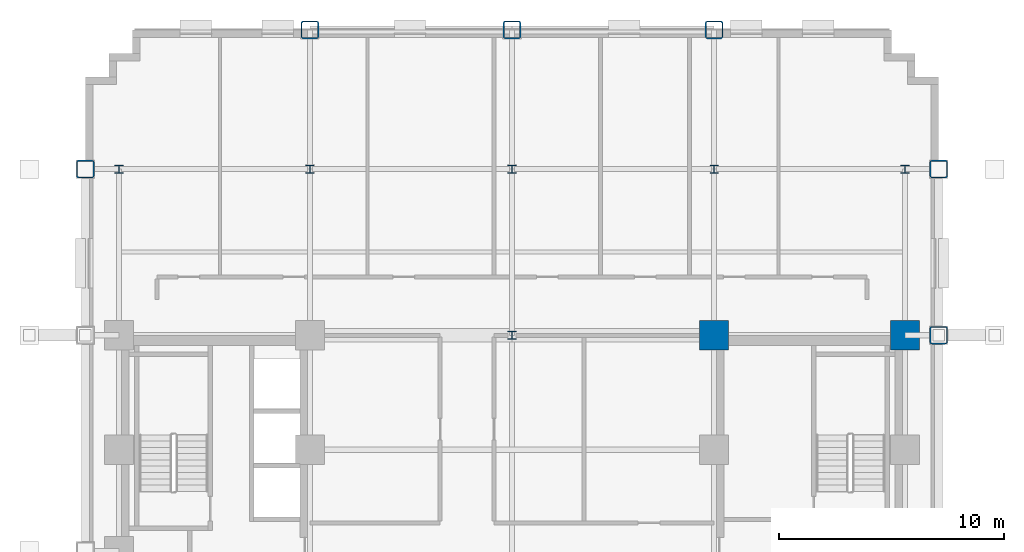
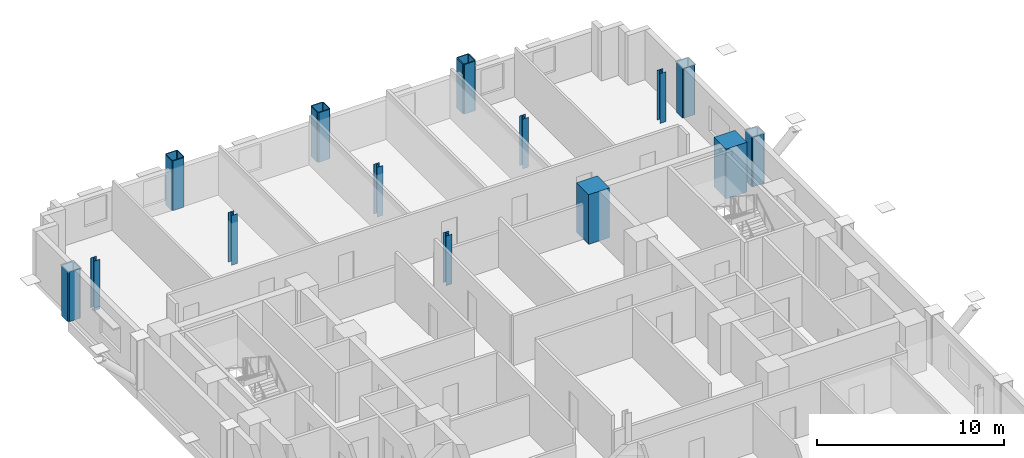
# One storey, part 2 of 12: 14 columns.
"""IFC4 building model written with IfcOpenShell, lengths in metres."""

from ifc_helpers import new_model, si_unit, direction, frame, origin, origin_2d, place, context, subcontext, project, spatial, rectangle, hollow_rectangle, i_section, extrude, material, material_profile, profile_set, type_object, element, save


model = new_model("IFC4")

# Units and contexts
model_context = context("Model", 3, precision=1e-05, world=origin(), true_north=direction((0.0, 1.0)))
body_context = subcontext(model_context, "Body", "Model", "MODEL_VIEW")
ifc_project = project(units=[si_unit("LENGTHUNIT", "METRE"), si_unit("AREAUNIT", "SQUARE_METRE"), si_unit("VOLUMEUNIT", "CUBIC_METRE"), si_unit("PLANEANGLEUNIT", "RADIAN"), si_unit("MASSUNIT", "GRAM", prefix="KILO")], contexts=[model_context])

# Site, building, storey
site_placement = place(None, origin())
site = spatial("IfcSite", under=ifc_project, at=site_placement, CompositionType="ELEMENT")
building_placement = place(site_placement, origin())
building = spatial("IfcBuilding", under=site, at=building_placement, Name="Nuvemarco Arch Tower", CompositionType="ELEMENT")
storey_placement = place(building_placement, frame((0.0, 0.0, 53.14990234375)))
storey = spatial("IfcBuildingStorey", under=building, at=storey_placement, Name="L13", CompositionType="ELEMENT", Elevation=53.14990234375)

# Columns
ifc_material_1 = material(Name="Concrete C60/75", Category="concrete")
ifc_material_profile_1 = material_profile(ifc_material_1, rectangle(XDim=1.300048828125, YDim=1.300048828125, at=origin_2d()), Name="RC-COL-1300x1300")
ifc_profile_set_1 = profile_set([ifc_material_profile_1], Name="Concrete C60/75")
column_type_1 = type_object("IfcColumnType", Name="COL-CORE-1300", PredefinedType="COLUMN", material=ifc_profile_set_1)
for number, where, z_axis, x_axis, name in (
    (1, (9.0, 9.60009765625, 0.0), (0.0, 0.0, 1.0), (1.0, 0.0, 0.0), "L13 column CC_+9.0_+9.6"),
    (2, (17.5, 9.60009765625, 0.0), (0.0, 0.0, 1.0), (1.0, 0.0, 0.0), "L13 column CC_+17.5_+9.6"),
):
    element("IfcColumn", number, at=place(storey_placement, frame(where, z_axis=z_axis, x_axis=x_axis)), inside=storey, type_object=column_type_1, Name=name, PredefinedType="COLUMN", context=body_context, shape_type="SweptSolid", body=[
        extrude(rectangle(XDim=1.300048828125, YDim=1.300048828125, at=origin_2d()), origin(), (0.0, 0.0, 1.0), 3.25),
    ])
ifc_material_2 = material(Name="Steel S460", Category="steel")
ifc_material_profile_2 = material_profile(ifc_material_2, hollow_rectangle(XDim=0.800048828125, YDim=0.800048828125, WallThickness=0.054931640625, InnerFilletRadius=0.054931640625, OuterFilletRadius=0.110107421875, at=origin_2d()), Name="SHS800x800x55")
ifc_profile_set_2 = profile_set([ifc_material_profile_2], Name="Steel S460")
column_type_2 = type_object("IfcColumnType", Name="COL-EXO-800", PredefinedType="COLUMN", material=ifc_profile_set_2)
for number, where, z_axis, x_axis, name in (
    (3, (-19.0, 17.0, 0.0), (0.0, 0.0, 1.0), (1.0, 0.0, 0.0), "L13 column CX_-19.0_+17.0"),
    (4, (19.0, 9.60009765625, 0.0), (0.0, 0.0, 1.0), (1.0, 0.0, 0.0), "L13 column CX_+19.0_+9.6"),
    (5, (19.0, 17.0, 0.0), (0.0, 0.0, 1.0), (1.0, 0.0, 0.0), "L13 column CX_+19.0_+17.0"),
    (6, (-9.0, 23.199951171875, 0.0), (0.0, 0.0, 1.0), (1.0, 0.0, 0.0), "L13 column CY_-9.0_+23.2"),
    (7, (0.0, 23.199951171875, 0.0), (0.0, 0.0, 1.0), (1.0, 0.0, 0.0), "L13 column CY_+0.0_+23.2"),
    (8, (9.0, 23.199951171875, 0.0), (0.0, 0.0, 1.0), (1.0, 0.0, 0.0), "L13 column CY_+9.0_+23.2"),
):
    element("IfcColumn", number, at=place(storey_placement, frame(where, z_axis=z_axis, x_axis=x_axis)), inside=storey, type_object=column_type_2, Name=name, PredefinedType="COLUMN", context=body_context, shape_type="SweptSolid", body=[
        extrude(hollow_rectangle(XDim=0.800048828125, YDim=0.800048828125, WallThickness=0.054931640625, InnerFilletRadius=0.054931640625, OuterFilletRadius=0.110107421875, at=origin_2d()), origin(), (0.0, 0.0, 1.0), 3.25),
    ])
ifc_material_3 = material(Name="Steel S355", Category="steel")
ifc_material_profile_3 = material_profile(ifc_material_3, i_section(OverallWidth=0.360107421875, OverallDepth=0.360107421875, WebThickness=0.0205078125, FlangeThickness=0.0205078125, FilletRadius=0.01806640625, at=origin_2d()), Name="HP360x174")
ifc_profile_set_3 = profile_set([ifc_material_profile_3], Name="Steel S355")
column_type_3 = type_object("IfcColumnType", Name="COL-STL-HP360", PredefinedType="COLUMN", material=ifc_profile_set_3)
for number, where, z_axis, x_axis, name in (
    (9, (0.0, 9.60009765625, 0.0), (0.0, 0.0, 1.0), (1.0, 0.0, 0.0), "L13 column CI_+0.0_+9.6"),
    (10, (0.0, 17.0, 0.0), (0.0, 0.0, 1.0), (1.0, 0.0, 0.0), "L13 column CI_+0.0_+17.0"),
    (11, (-17.5, 17.0, 0.0), (0.0, 0.0, 1.0), (1.0, 0.0, 0.0), "L13 column CI_-17.5_+17.0"),
    (12, (-9.0, 17.0, 0.0), (0.0, 0.0, 1.0), (1.0, 0.0, 0.0), "L13 column CI_-9.0_+17.0"),
    (13, (9.0, 17.0, 0.0), (0.0, 0.0, 1.0), (1.0, 0.0, 0.0), "L13 column CI_+9.0_+17.0"),
    (14, (17.5, 17.0, 0.0), (0.0, 0.0, 1.0), (1.0, 0.0, 0.0), "L13 column CI_+17.5_+17.0"),
):
    element("IfcColumn", number, at=place(storey_placement, frame(where, z_axis=z_axis, x_axis=x_axis)), inside=storey, type_object=column_type_3, Name=name, PredefinedType="COLUMN", context=body_context, shape_type="SweptSolid", body=[
        extrude(i_section(OverallWidth=0.360107421875, OverallDepth=0.360107421875, WebThickness=0.0205078125, FlangeThickness=0.0205078125, FilletRadius=0.01806640625, at=origin_2d()), origin(), (0.0, 0.0, 1.0), 3.25),
    ])

save(model, "model.ifc")
